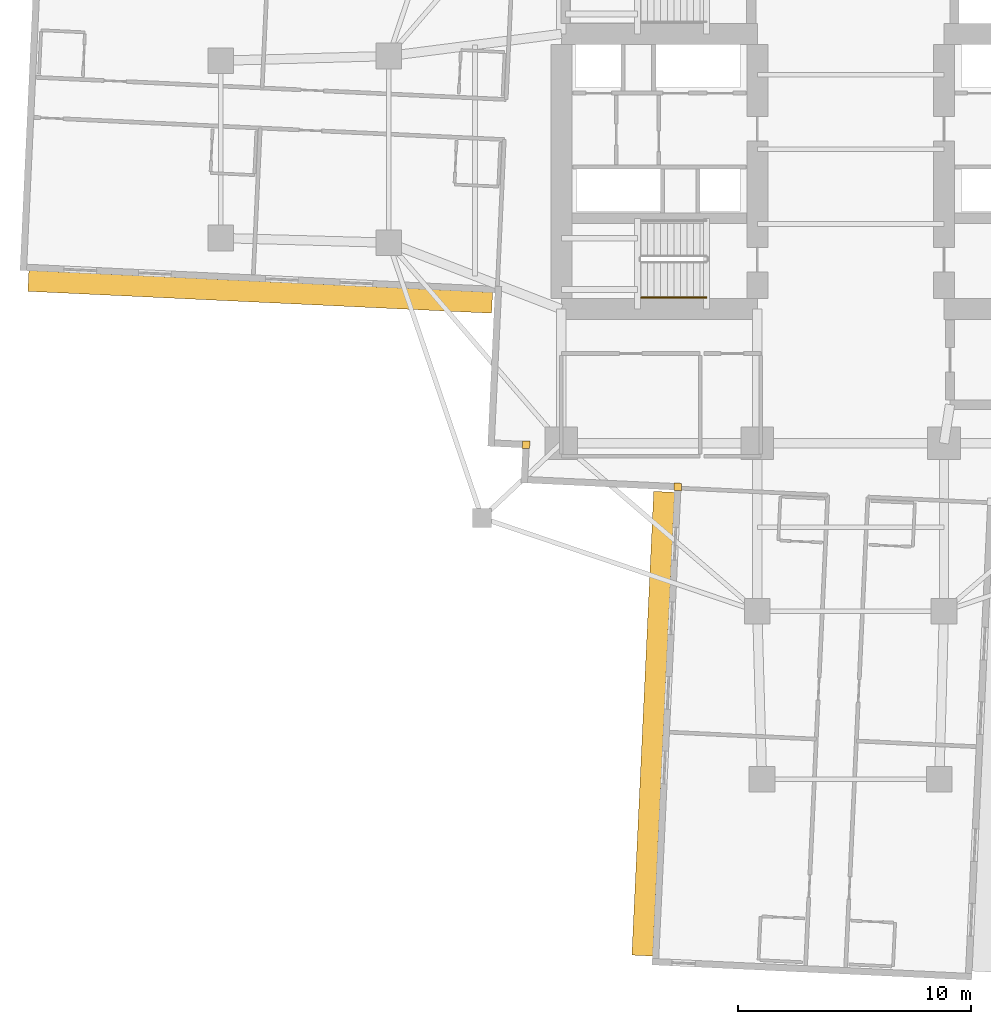
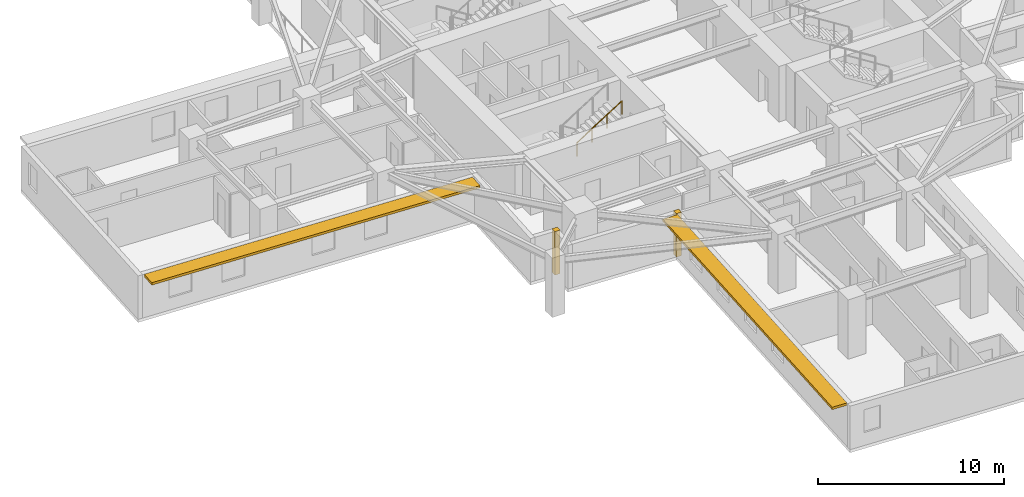
# One storey, part 9 of 13: 2 coverings, 2 shading devices, 1 railing.
"""IFC4 building model written with IfcOpenShell, lengths in metres."""

from ifc_helpers import new_model, si_unit, direction, frame, origin, origin_2d, place, context, subcontext, project, spatial, rectangle, circle, extrude, material, layer, layer_set, type_object, element, save


model = new_model("IFC4")

# Units and contexts
model_context = context("Model", 3, precision=1e-05, world=origin(), true_north=direction((0.0, 1.0)))
body_context = subcontext(model_context, "Body", "Model", "MODEL_VIEW")
ifc_project = project(units=[si_unit("LENGTHUNIT", "METRE"), si_unit("AREAUNIT", "SQUARE_METRE"), si_unit("VOLUMEUNIT", "CUBIC_METRE"), si_unit("PLANEANGLEUNIT", "RADIAN"), si_unit("MASSUNIT", "GRAM", prefix="KILO")], contexts=[model_context])

# Site, building, storey
site_placement = place(None, origin())
site = spatial("IfcSite", under=ifc_project, at=site_placement, CompositionType="ELEMENT")
building_placement = place(site_placement, origin())
building = spatial("IfcBuilding", under=site, at=building_placement, Name="Qingluan Cross Belvedere", CompositionType="ELEMENT")
storey_placement = place(building_placement, frame((0.0, 0.0, 91.199951171875)))
storey = spatial("IfcBuildingStorey", under=building, at=storey_placement, Name="L23", CompositionType="ELEMENT", Elevation=91.199951171875)

# Coverings
ifc_material_1 = material(Name="Precast concrete C45", Category="concrete")
ifc_layer_1 = layer(ifc_material_1, 0.1201171875, Name="ConcreteSpandrelCladding_120")
ifc_layer_set_1 = layer_set([ifc_layer_1], Name="Precast concrete C45")
covering_type = type_object("IfcCoveringType", Name="ConcreteSpandrelCladding_120", PredefinedType="CLADDING", material=ifc_layer_set_1)
for number, where, z_axis, x_axis, name in (
    (1, (-13.911865234375, -12.65869140625, 0.0), (0.0, 0.0, 1.0), (0.998889874962, -0.04710645071, 0.0), "Corner closure L23-SW1"),
    (2, (-7.40966796875, -14.467041015625, 0.0), (0.0, 0.0, 1.0), (0.998889874962, -0.04710645071, 0.0), "Corner closure L23-SW2"),
):
    element("IfcCovering", number, at=place(storey_placement, frame(where, z_axis=z_axis, x_axis=x_axis)), inside=storey, type_object=covering_type, Name=name, PredefinedType="CLADDING", context=body_context, shape_type="SweptSolid", body=[
        extrude(rectangle(XDim=0.320068359375, YDim=0.320068359375, at=origin_2d()), origin(), (0.0, 0.0, 1.0), 2.860107421875),
    ])

# Shading devices
ifc_material_2 = material(Name="Precast concrete C45", Category="concrete")
ifc_layer_2 = layer(ifc_material_2, 0.159912109375, Name="ConcreteSunshadeBand_900")
ifc_layer_set_2 = layer_set([ifc_layer_2], Name="Precast concrete C45")
shading_device_type = type_object("IfcShadingDeviceType", Name="ConcreteSunshadeBand_900", PredefinedType="USERDEFINED", material=ifc_layer_set_2)
for number, where, z_axis, x_axis, name in (
    (3, (-25.3056640625, -6.104736328125, 2.68017578125), (0.0, 0.0, 1.0), (0.998889735192, -0.04710941444, 0.0), "Concrete SUNSHADE L23-WB"),
    (4, (-8.458984375, -24.618896484375, 2.68017578125), (0.0, 0.0, 1.0), (-0.047104684445, -0.998889958255, 0.0), "Concrete SUNSHADE L23-SA"),
):
    element("IfcShadingDevice", number, at=place(storey_placement, frame(where, z_axis=z_axis, x_axis=x_axis)), inside=storey, type_object=shading_device_type, Name=name, ObjectType="SUNSHADE", PredefinedType="USERDEFINED", context=body_context, shape_type="SweptSolid", body=[
        extrude(rectangle(XDim=19.89990234375, YDim=0.89990234375, at=origin_2d()), origin(), (0.0, 0.0, 1.0), 0.159912109375),
    ])

# Railing
ifc_material_3 = material(Name="Brushed stainless steel tubular handrail", Category="steel")
railing_type = type_object("IfcRailingType", Name="StairPitchHandrail_900", PredefinedType="HANDRAIL", material=ifc_material_3)
railing_placement = place(storey_placement, frame((-8.97998046875, -6.35009765625, 2.12744140625)))
element("IfcRailing", 5, at=railing_placement, inside=storey, type_object=railing_type, Name="L23 ST1 stair handrail 2", PredefinedType="HANDRAIL", context=body_context, shape_type="SweptSolid", body=[
    extrude(circle(Radius=0.02392578125, at=origin_2d()), frame((0.0, 0.0, 0.8759765625), z_axis=(0.844908973607, 0.0, 0.534910110503), x_axis=(0.0, 1.0, 0.0)), (0.0, 0.0, 1.0), 3.31396484375),
    extrude(circle(Radius=0.02099609375, at=origin_2d()), origin(), (0.0, 0.0, 1.0), 0.851806640625),
    extrude(circle(Radius=0.02099609375, at=origin_2d()), frame((0.933349609375, 0.0, 0.5908203125)), (0.0, 0.0, 1.0), 0.851806640625),
    extrude(circle(Radius=0.02099609375, at=origin_2d()), frame((1.86669921875, 0.0, 1.181884765625)), (0.0, 0.0, 1.0), 0.851806640625),
    extrude(circle(Radius=0.02099609375, at=origin_2d()), frame((2.800048828125, 0.0, 1.772705078125)), (0.0, 0.0, 1.0), 0.851806640625),
])

save(model, "model.ifc")
